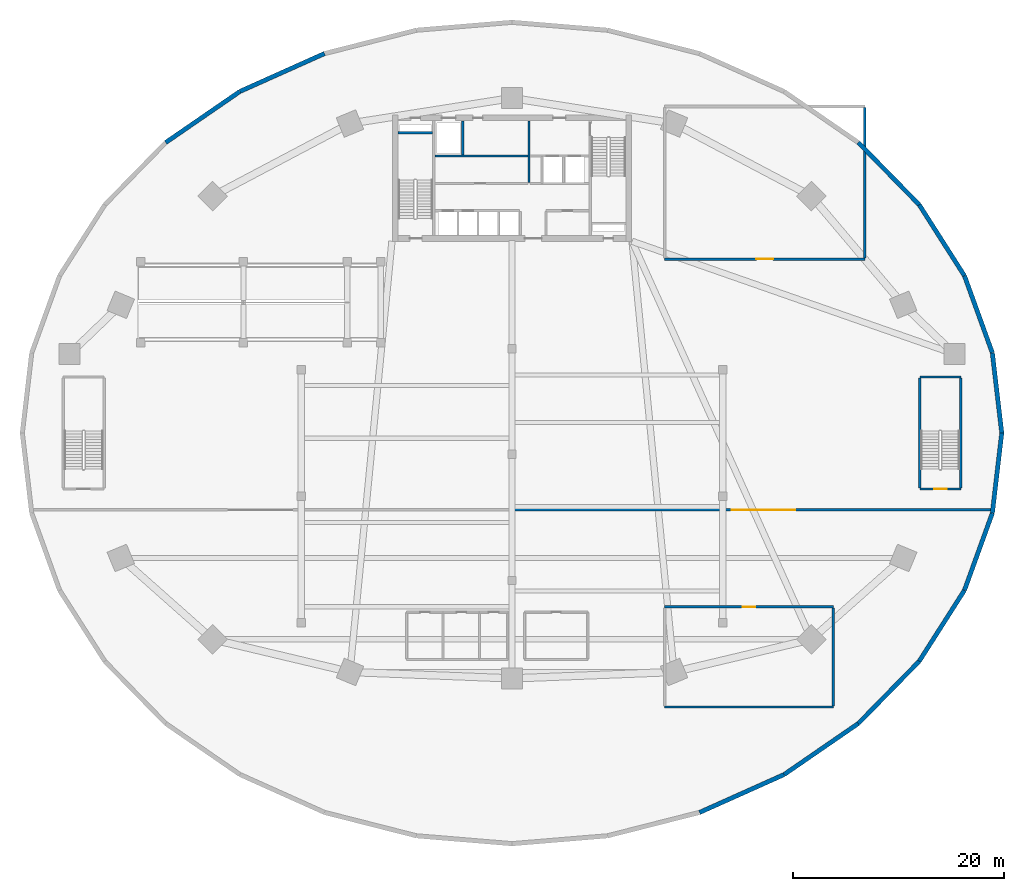
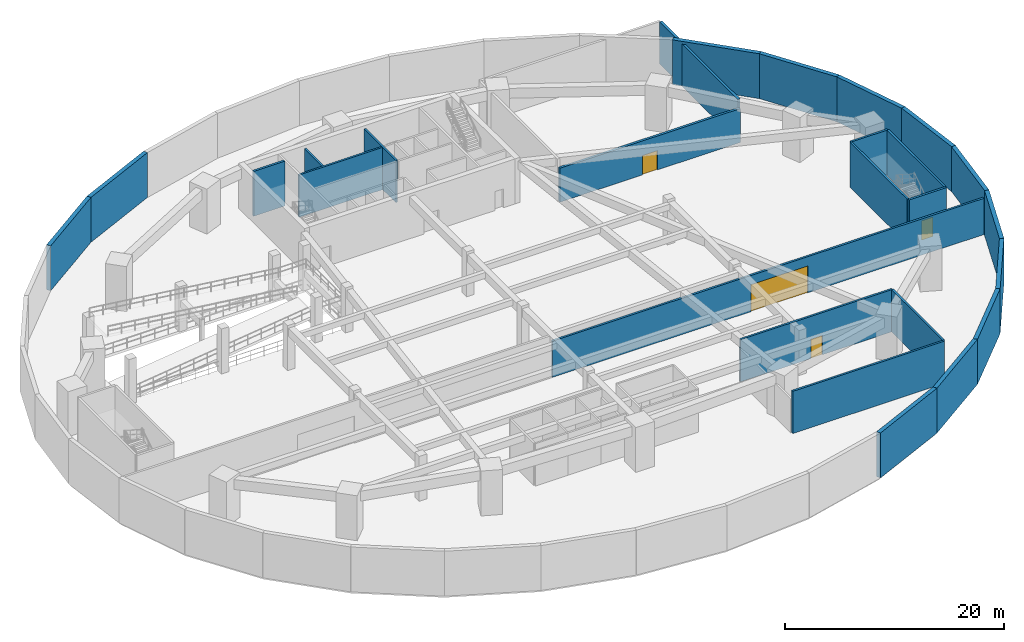
# One storey, part 6 of 10: 26 walls, 4 doors, 4 openings.
"""IFC4 building model written with IfcOpenShell, lengths in metres."""

from ifc_helpers import new_model, si_unit, direction, frame, frame_2d, origin, place, context, subcontext, project, spatial, rectangle, extrude, source, transform, mapped, material, layer, layer_set, type_object, type_shapes, element, fill, save


model = new_model("IFC4")

# Units and contexts
model_context = context("Model", 3, precision=1e-05, world=origin(), true_north=direction((0.0, 1.0)))
body_context = subcontext(model_context, "Body", "Model", "MODEL_VIEW")
ifc_project = project(units=[si_unit("LENGTHUNIT", "METRE"), si_unit("AREAUNIT", "SQUARE_METRE"), si_unit("VOLUMEUNIT", "CUBIC_METRE"), si_unit("PLANEANGLEUNIT", "RADIAN"), si_unit("MASSUNIT", "GRAM", prefix="KILO")], contexts=[model_context])

# Site, building, storey
site_placement = place(None, origin())
site = spatial("IfcSite", under=ifc_project, at=site_placement, CompositionType="ELEMENT")
building_placement = place(site_placement, origin())
building = spatial("IfcBuilding", under=site, at=building_placement, Name="Breltana Convention Tower", CompositionType="ELEMENT")
storey_placement = place(building_placement, frame((0.0, 0.0, -5.0)))
storey = spatial("IfcBuildingStorey", under=building, at=storey_placement, Name="B01", CompositionType="ELEMENT", Elevation=-5.0)

# Walls
ifc_material_1 = material(Name="Concrete C40/50", Category="concrete")
ifc_layer_1 = layer(ifc_material_1, 0.419921875, Name="Concrete C40/50")
ifc_layer_set_1 = layer_set([ifc_layer_1], Name="Concrete C40/50")
wall_type_1 = type_object("IfcWallType", Name="SW-BASE-420", PredefinedType="USERDEFINED", material=ifc_layer_set_1)
shared_shape_1 = source(origin(), body_context, "Body", "SweptSolid", [
    extrude(rectangle(XDim=7.66064453125, YDim=0.419921875, at=frame_2d((3.830322265625, 0.0))), origin(), (0.0, 0.0, 1.0), 5.0),
])
for number, where, z_axis, x_axis, name in (
    (1, (94.5, 42.0, 0.0), (0.0, 0.0, 1.0), (-0.116641545586, 0.993174078318, 0.0), "B01 Perimeter Retaining Wall 01"),
    (2, (93.6064453125, 34.3916015625, 0.0), (0.0, 0.0, 1.0), (0.116641545586, 0.993174078318, 0.0), "B01 Perimeter Retaining Wall 32"),
):
    element("IfcWall", number, at=place(storey_placement, frame(where, z_axis=z_axis, x_axis=x_axis)), inside=storey, type_object=wall_type_1, Name=name, ObjectType="RETAININGWALL", PredefinedType="USERDEFINED", context=body_context, shape_type="MappedRepresentation", body=[
        mapped(shared_shape_1, transform((0.0, 0.0, 0.0), scale=1.0)),
    ])
shared_shape_2 = source(origin(), body_context, "Body", "SweptSolid", [
    extrude(rectangle(XDim=7.7802734375, YDim=0.419921875, at=frame_2d((3.89013671875, 0.0))), origin(), (0.0, 0.0, 1.0), 5.0),
])
for number, where, z_axis, x_axis, name in (
    (3, (93.6064453125, 49.6083984375, 0.0), (0.0, 0.0, 1.0), (-0.340094752388, 0.940391173607, 0.0), "B01 Perimeter Retaining Wall 02"),
    (4, (90.96044921875, 27.0751953125, 0.0), (0.0, 0.0, 1.0), (0.340094752388, 0.940391173607, 0.0), "B01 Perimeter Retaining Wall 31"),
):
    element("IfcWall", number, at=place(storey_placement, frame(where, z_axis=z_axis, x_axis=x_axis)), inside=storey, type_object=wall_type_1, Name=name, ObjectType="RETAININGWALL", PredefinedType="USERDEFINED", context=body_context, shape_type="MappedRepresentation", body=[
        mapped(shared_shape_2, transform((0.0, 0.0, 0.0), scale=1.0)),
    ])
shared_shape_3 = source(origin(), body_context, "Body", "SweptSolid", [
    extrude(rectangle(XDim=7.995361328125, YDim=0.419921875, at=frame_2d((3.99755859375, 0.0))), origin(), (0.0, 0.0, 1.0), 5.0),
])
for number, where, z_axis, x_axis, name in (
    (5, (90.96044921875, 56.9248046875, 0.0), (0.0, 0.0, 1.0), (-0.537452304734, 0.84329414805, 0.0), "B01 Perimeter Retaining Wall 03"),
    (6, (86.663330078125, 20.332763671875, 0.0), (0.0, 0.0, 1.0), (0.537452304734, 0.84329414805, 0.0), "B01 Perimeter Retaining Wall 30"),
):
    element("IfcWall", number, at=place(storey_placement, frame(where, z_axis=z_axis, x_axis=x_axis)), inside=storey, type_object=wall_type_1, Name=name, ObjectType="RETAININGWALL", PredefinedType="USERDEFINED", context=body_context, shape_type="MappedRepresentation", body=[
        mapped(shared_shape_3, transform((0.0, 0.0, 0.0), scale=1.0)),
    ])
shared_shape_4 = source(origin(), body_context, "Body", "SweptSolid", [
    extrude(rectangle(XDim=8.268310546875, YDim=0.419921875, at=frame_2d((4.13427734375, 0.0))), origin(), (0.0, 0.0, 1.0), 5.0),
])
for number, where, z_axis, x_axis, name in (
    (7, (86.663330078125, 63.667236328125, 0.0), (0.0, 0.0, 1.0), (-0.699373198463, 0.714756692358, 0.0), "B01 Perimeter Retaining Wall 04"),
    (8, (80.880615234375, 14.4228515625, 0.0), (0.0, 0.0, 1.0), (0.699373198463, 0.714756692358, 0.0), "B01 Perimeter Retaining Wall 29"),
):
    element("IfcWall", number, at=place(storey_placement, frame(where, z_axis=z_axis, x_axis=x_axis)), inside=storey, type_object=wall_type_1, Name=name, ObjectType="RETAININGWALL", PredefinedType="USERDEFINED", context=body_context, shape_type="MappedRepresentation", body=[
        mapped(shared_shape_4, transform((0.0, 0.0, 0.0), scale=1.0)),
    ])
shared_shape_5 = source(origin(), body_context, "Body", "SweptSolid", [
    extrude(rectangle(XDim=8.554443359375, YDim=0.419921875, at=frame_2d((4.27734375, 0.0))), origin(), (0.0, 0.0, 1.0), 5.0),
])
for number, where, z_axis, x_axis, name in (
    (9, (22.166015625, 74.42724609375, 0.0), (0.0, 0.0, 1.0), (-0.823739529001, -0.566968419192, 0.0), "B01 Perimeter Retaining Wall 12"),
    (10, (73.833984375, 9.57275390625, 0.0), (0.0, 0.0, 1.0), (0.823739529001, 0.566968419192, 0.0), "B01 Perimeter Retaining Wall 28"),
):
    element("IfcWall", number, at=place(storey_placement, frame(where, z_axis=z_axis, x_axis=x_axis)), inside=storey, type_object=wall_type_1, Name=name, ObjectType="RETAININGWALL", PredefinedType="USERDEFINED", context=body_context, shape_type="MappedRepresentation", body=[
        mapped(shared_shape_5, transform((0.0, 0.0, 0.0), scale=1.0)),
    ])
shared_shape_6 = source(origin(), body_context, "Body", "SweptSolid", [
    extrude(rectangle(XDim=8.81005859375, YDim=0.419921875, at=frame_2d((4.405029296875, 0.0))), origin(), (0.0, 0.0, 1.0), 5.0),
])
for number, where, z_axis, x_axis, name in (
    (11, (30.205078125, 78.03125, 0.0), (0.0, 0.0, 1.0), (-0.912497196731, -0.409082957305, 0.0), "B01 Perimeter Retaining Wall 11"),
    (12, (65.794921875, 5.96875, 0.0), (0.0, 0.0, 1.0), (0.912497196731, 0.409082957305, 0.0), "B01 Perimeter Retaining Wall 27"),
):
    element("IfcWall", number, at=place(storey_placement, frame(where, z_axis=z_axis, x_axis=x_axis)), inside=storey, type_object=wall_type_1, Name=name, ObjectType="RETAININGWALL", PredefinedType="USERDEFINED", context=body_context, shape_type="MappedRepresentation", body=[
        mapped(shared_shape_6, transform((0.0, 0.0, 0.0), scale=1.0)),
    ])
ifc_material_2 = material(Name="Concrete C50/60", Category="concrete")
ifc_layer_2 = layer(ifc_material_2, 0.39990234375, Name="Concrete C50/60")
ifc_layer_set_2 = layer_set([ifc_layer_2], Name="Concrete C50/60")
wall_type_2 = type_object("IfcWallType", Name="SW-CORE-400", PredefinedType="SHEAR", material=ifc_layer_set_2)
shared_shape_7 = source(origin(), body_context, "Body", "SweptSolid", [
    extrude(rectangle(XDim=3.27001953125, YDim=0.219970703125, at=frame_2d((1.635009765625, 0.0))), origin(), (0.0, 0.0, 1.0), 5.0),
])
type_shapes(wall_type_2, [shared_shape_7])
wall_1_placement = place(storey_placement, frame((37.199951171875, 70.510009765625, 0.0), z_axis=(0.0, 0.0, 1.0), x_axis=(1.0, 0.0, 0.0)))
element("IfcWall", 13, at=wall_1_placement, inside=storey, type_object=wall_type_2, Name="B01 ST-1 Stairwell North Bearing Wall", PredefinedType="SHEAR", context=body_context, shape_type="MappedRepresentation", body=[
    mapped(shared_shape_7, transform((0.0, 0.0, 0.0), scale=1.0)),
])
ifc_material_3 = material(Name="Autoclaved Aerated Concrete Block", Category="concrete")
ifc_layer_3 = layer(ifc_material_3, 0.199951171875, Name="Autoclaved Aerated Concrete Block")
ifc_layer_set_3 = layer_set([ifc_layer_3], Name="Autoclaved Aerated Concrete Block")
wall_type_3 = type_object("IfcWallType", Name="WL-SHAFT-200", PredefinedType="SOLIDWALL", material=ifc_layer_set_3)
shared_shape_8 = source(origin(), body_context, "Body", "SweptSolid", [
    extrude(rectangle(XDim=5.800048828125, YDim=0.199951171875, at=frame_2d((2.89990234375, 0.0))), origin(), (0.0, 0.0, 1.0), 4.699951171875),
])
wall_2_placement = place(storey_placement, frame((49.60009765625, 65.800048828125, 0.0), z_axis=(0.0, 0.0, 1.0), x_axis=(0.0, 1.0, 0.0)))
element("IfcWall", 14, at=wall_2_placement, inside=storey, type_object=wall_type_3, Name="B01 interior partition W-B01-FFL-W", PredefinedType="SOLIDWALL", context=body_context, shape_type="MappedRepresentation", body=[
    mapped(shared_shape_8, transform((0.0, 0.0, 0.0), scale=1.0)),
])
shared_shape_9 = source(origin(), body_context, "Body", "SweptSolid", [
    extrude(rectangle(XDim=3.2001953125, YDim=0.199951171875, at=frame_2d((1.60009765625, 0.0))), origin(), (0.0, 0.0, 1.0), 4.699951171875),
])
wall_3_placement = place(storey_placement, frame((43.320068359375, 68.39990234375, 0.0), z_axis=(0.0, 0.0, 1.0), x_axis=(0.0, 1.0, 0.0)))
element("IfcWall", 15, at=wall_3_placement, inside=storey, type_object=wall_type_3, Name="B01 interior partition W-B01-SV-E", PredefinedType="SOLIDWALL", context=body_context, shape_type="MappedRepresentation", body=[
    mapped(shared_shape_9, transform((0.0, 0.0, 0.0), scale=1.0)),
])
shared_shape_10 = source(origin(), body_context, "Body", "SweptSolid", [
    extrude(rectangle(XDim=8.800048828125, YDim=0.199951171875, at=frame_2d((4.39990234375, 0.0))), origin(), (0.0, 0.0, 1.0), 4.699951171875),
])
wall_4_placement = place(storey_placement, frame((40.699951171875, 68.300048828125, 0.0), z_axis=(0.0, 0.0, 1.0), x_axis=(1.0, 0.0, 0.0)))
element("IfcWall", 16, at=wall_4_placement, inside=storey, type_object=wall_type_3, Name="B01 interior partition W-B01-SV-S", PredefinedType="SOLIDWALL", context=body_context, shape_type="MappedRepresentation", body=[
    mapped(shared_shape_10, transform((0.0, 0.0, 0.0), scale=1.0)),
])

# Wall, opening, door
ifc_layer_4 = layer(ifc_material_1, 0.219970703125, Name="Concrete C40/50")
ifc_layer_set_4 = layer_set([ifc_layer_4], Name="Concrete C40/50")
wall_type_4 = type_object("IfcWallType", Name="WL-SHAFT-220", PredefinedType="SOLIDWALL", material=ifc_layer_set_4)
shared_shape_11 = source(origin(), body_context, "Body", "SweptSolid", [
    extrude(rectangle(XDim=3.89013671875, YDim=0.219970703125, at=frame_2d((1.945068359375, 0.0))), origin(), (0.0, 0.0, 1.0), 5.0),
])
type_shapes(wall_type_4, [shared_shape_11])
wall_5_placement = place(storey_placement, frame((86.719970703125, 36.68994140625, 0.0), z_axis=(0.0, 0.0, 1.0), x_axis=(1.0, 0.0, 0.0)))
wall_5 = element("IfcWall", 17, at=wall_5_placement, inside=storey, type_object=wall_type_4, Name="B01 interior partition W-B01-ST4-S", PredefinedType="SOLIDWALL", context=body_context, shape_type="MappedRepresentation", body=[
    mapped(shared_shape_11, transform((0.0, 0.0, 0.0), scale=1.0)),
])
opening_1_placement = place(wall_5_placement, frame((1.344970703125, 0.0, 0.0)))
opening_1 = element("IfcOpeningElement", 18, at=opening_1_placement, cuts=wall_5, Name="Opening D-09", PredefinedType="OPENING", context=body_context, shape_type="SweptSolid", body=[
    extrude(rectangle(XDim=1.199951171875, YDim=2.14990234375, at=frame_2d((0.60009765625, 1.074951171875))), frame((0.0, 0.1201171875, 0.0), z_axis=(0.0, -1.0, 0.0), x_axis=(1.0, 0.0, 0.0)), (0.0, 0.0, 1.0), 0.239990234375),
])
ifc_material_4 = material(Name="Steel Fire Lobby Door", Category="steel")
door_type_1 = type_object("IfcDoorType", Name="DR-FD120-1200", OperationType="NOTDEFINED", PredefinedType="DOOR", material=ifc_material_4)
shared_shape_12 = source(origin(), body_context, "Body", "SweptSolid", [
    extrude(rectangle(XDim=1.199951171875, YDim=2.14990234375, at=frame_2d((0.60009765625, 1.074951171875))), frame((0.0, 0.02490234375, 0.0), z_axis=(0.0, -1.0, 0.0), x_axis=(1.0, 0.0, 0.0)), (0.0, 0.0, 1.0), 0.050048828125),
])
type_shapes(door_type_1, [shared_shape_12])
door_1_placement = place(opening_1_placement, origin())
door_1 = element("IfcDoor", 19, at=door_1_placement, inside=storey, type_object=door_type_1, Name="B01 interior door D-B01-ST4", OperationType="SINGLE_SWING_LEFT", OverallHeight=2.14990234375, OverallWidth=1.199951171875, PredefinedType="DOOR", context=body_context, shape_type="MappedRepresentation", body=[
    mapped(shared_shape_12, transform((0.0, 0.0, 0.0), scale=1.0)),
])
fill(opening_1, door_1)

# Walls
wall_6_placement = place(storey_placement, frame((86.719970703125, 47.31005859375, 0.0), z_axis=(0.0, 0.0, 1.0), x_axis=(1.0, 0.0, 0.0)))
element("IfcWall", 20, at=wall_6_placement, inside=storey, type_object=wall_type_4, Name="B01 interior partition W-B01-ST4-N", PredefinedType="SOLIDWALL", context=body_context, shape_type="MappedRepresentation", body=[
    mapped(shared_shape_11, transform((0.0, 0.0, 0.0), scale=1.0)),
])
shared_shape_13 = source(origin(), body_context, "Body", "SweptSolid", [
    extrude(rectangle(XDim=10.421875, YDim=0.219970703125, at=frame_2d((5.2109375, 0.0))), origin(), (0.0, 0.0, 1.0), 5.0),
])
for number, where, z_axis, x_axis, name in (
    (21, (86.719970703125, 36.7890625, 0.0), (0.0, 0.0, 1.0), (0.0, 1.0, 0.0), "B01 interior partition W-B01-ST4-W"),
    (22, (90.610107421875, 36.7890625, 0.0), (0.0, 0.0, 1.0), (0.0, 1.0, 0.0), "B01 interior partition W-B01-ST4-E"),
):
    element("IfcWall", number, at=place(storey_placement, frame(where, z_axis=z_axis, x_axis=x_axis)), inside=storey, type_object=wall_type_4, Name=name, PredefinedType="SOLIDWALL", context=body_context, shape_type="MappedRepresentation", body=[
        mapped(shared_shape_13, transform((0.0, 0.0, 0.0), scale=1.0)),
    ])

# Wall, opening, door
ifc_material_5 = material(Name="Gypsum Acoustic Double Stud Wall")
ifc_layer_5 = layer(ifc_material_5, 0.25, Name="Gypsum Acoustic Double Stud Wall")
ifc_layer_set_5 = layer_set([ifc_layer_5], Name="Gypsum Acoustic Double Stud Wall")
wall_type_5 = type_object("IfcWallType", Name="WL-ACOUSTIC-250", PredefinedType="PARTITIONING", material=ifc_layer_set_5)
shared_shape_14 = source(origin(), body_context, "Body", "SweptSolid", [
    extrude(rectangle(XDim=19.0, YDim=0.25, at=frame_2d((9.5, 0.0))), origin(), (0.0, 0.0, 1.0), 3.780029296875),
])
type_shapes(wall_type_5, [shared_shape_14])
wall_7_placement = place(storey_placement, frame((62.5, 58.5, 0.0), z_axis=(0.0, 0.0, 1.0), x_axis=(1.0, 0.0, 0.0)))
wall_7 = element("IfcWall", 23, at=wall_7_placement, inside=storey, type_object=wall_type_5, Name="B01 interior partition W-B01-PLT1-S", PredefinedType="PARTITIONING", context=body_context, shape_type="MappedRepresentation", body=[
    mapped(shared_shape_14, transform((0.0, 0.0, 0.0), scale=1.0)),
])
opening_2_placement = place(wall_7_placement, frame((8.699951171875, 0.0, 0.0)))
opening_2 = element("IfcOpeningElement", 24, at=opening_2_placement, cuts=wall_7, Name="Opening D-04", PredefinedType="OPENING", context=body_context, shape_type="SweptSolid", body=[
    extrude(rectangle(XDim=1.60009765625, YDim=2.14990234375, at=frame_2d((0.800048828125, 1.074951171875))), frame((0.0, 0.135009765625, 0.0), z_axis=(0.0, -1.0, 0.0), x_axis=(1.0, 0.0, 0.0)), (0.0, 0.0, 1.0), 0.27001953125),
])
ifc_material_6 = material(Name="Steel Heavy-Duty Plant Door", Category="steel")
door_type_2 = type_object("IfcDoorType", Name="DR-PLT-1600", OperationType="DOUBLE_DOOR_SINGLE_SWING", PredefinedType="DOOR", material=ifc_material_6)
shared_shape_15 = source(origin(), body_context, "Body", "SweptSolid", [
    extrude(rectangle(XDim=1.60009765625, YDim=2.14990234375, at=frame_2d((0.800048828125, 1.074951171875))), frame((0.0, 0.02490234375, 0.0), z_axis=(0.0, -1.0, 0.0), x_axis=(1.0, 0.0, 0.0)), (0.0, 0.0, 1.0), 0.050048828125),
])
type_shapes(door_type_2, [shared_shape_15])
door_2_placement = place(opening_2_placement, origin())
door_2 = element("IfcDoor", 25, at=door_2_placement, inside=storey, type_object=door_type_2, Name="B01 interior door D-B01-PLT1", OperationType="SINGLE_SWING_RIGHT", OverallHeight=2.14990234375, OverallWidth=1.60009765625, PredefinedType="DOOR", context=body_context, shape_type="MappedRepresentation", body=[
    mapped(shared_shape_15, transform((0.0, 0.0, 0.0), scale=1.0)),
])
fill(opening_2, door_2)

# Walls
shared_shape_16 = source(origin(), body_context, "Body", "SweptSolid", [
    extrude(rectangle(XDim=14.27490234375, YDim=0.25, at=frame_2d((7.137451171875, 0.0))), origin(), (0.0, 0.0, 1.0), 4.699951171875),
])
wall_8_placement = place(storey_placement, frame((81.5, 58.612548828125, 0.0), z_axis=(0.0, 0.0, 1.0), x_axis=(0.0, 1.0, 0.0)))
element("IfcWall", 26, at=wall_8_placement, inside=storey, type_object=wall_type_5, Name="B01 interior partition W-B01-PLT1-E", PredefinedType="PARTITIONING", context=body_context, shape_type="MappedRepresentation", body=[
    mapped(shared_shape_16, transform((0.0, 0.0, 0.0), scale=1.0)),
])
ifc_material_7 = material(Name="Autoclaved Aerated Masonry Blockwork", Category="masonry")
ifc_layer_6 = layer(ifc_material_7, 0.2099609375, Name="Autoclaved Aerated Masonry Blockwork")
ifc_layer_set_6 = layer_set([ifc_layer_6], Name="Autoclaved Aerated Masonry Blockwork")
wall_type_6 = type_object("IfcWallType", Name="WL-PART-200", PredefinedType="PARTITIONING", material=ifc_layer_set_6)
shared_shape_17 = source(origin(), body_context, "Body", "SweptSolid", [
    extrude(rectangle(XDim=9.31982421875, YDim=0.2099609375, at=frame_2d((4.659912109375, 0.0))), origin(), (0.0, 0.0, 1.0), 4.699951171875),
])
wall_9_placement = place(storey_placement, frame((78.5, 16.090087890625, 0.0), z_axis=(0.0, 0.0, 1.0), x_axis=(0.0, 1.0, 0.0)))
element("IfcWall", 27, at=wall_9_placement, inside=storey, type_object=wall_type_6, Name="B01 interior partition W-B01-BIC1-E", PredefinedType="PARTITIONING", context=body_context, shape_type="MappedRepresentation", body=[
    mapped(shared_shape_17, transform((0.0, 0.0, 0.0), scale=1.0)),
])

# Wall, opening, door
shared_shape_18 = source(origin(), body_context, "Body", "SweptSolid", [
    extrude(rectangle(XDim=45.451416015625, YDim=0.219970703125, at=frame_2d((22.7255859375, 0.0))), origin(), (0.0, 0.0, 1.0), 4.030029296875),
])
wall_10_placement = place(storey_placement, frame((48.0, 34.699951171875, 0.0), z_axis=(0.0, 0.0, 1.0), x_axis=(1.0, 0.0, 0.0)))
wall_10 = element("IfcWall", 28, at=wall_10_placement, inside=storey, type_object=wall_type_4, Name="B01 interior partition W-B01-FSH-E", PredefinedType="SOLIDWALL", context=body_context, shape_type="MappedRepresentation", body=[
    mapped(shared_shape_18, transform((0.0, 0.0, 0.0), scale=1.0)),
])
opening_3_placement = place(wall_10_placement, frame((20.875732421875, 0.0, 0.0)))
opening_3 = element("IfcOpeningElement", 29, at=opening_3_placement, cuts=wall_10, Name="Opening VG-03", PredefinedType="OPENING", context=body_context, shape_type="SweptSolid", body=[
    extrude(rectangle(XDim=6.0, YDim=3.0, at=frame_2d((3.0, 1.5))), frame((0.0, 0.1201171875, 0.0), z_axis=(0.0, -1.0, 0.0), x_axis=(1.0, 0.0, 0.0)), (0.0, 0.0, 1.0), 0.239990234375),
])
ifc_material_8 = material(Name="Steel Fire-Rated Roller Shutter", Category="steel")
door_type_3 = type_object("IfcDoorType", Name="DR-GATE-FIRE-6000", OperationType="ROLLINGUP", PredefinedType="GATE", material=ifc_material_8)
shared_shape_19 = source(origin(), body_context, "Body", "SweptSolid", [
    extrude(rectangle(XDim=6.0, YDim=3.0, at=frame_2d((3.0, 1.5))), frame((0.0, 0.02490234375, 0.0), z_axis=(0.0, -1.0, 0.0), x_axis=(1.0, 0.0, 0.0)), (0.0, 0.0, 1.0), 0.050048828125),
])
type_shapes(door_type_3, [shared_shape_19])
door_3_placement = place(opening_3_placement, origin())
door_3 = element("IfcDoor", 30, at=door_3_placement, inside=storey, type_object=door_type_3, Name="B01 interior door VG-B01-FIRE-E", OperationType="ROLLINGUP", OverallHeight=3.0, OverallWidth=6.0, PredefinedType="GATE", context=body_context, shape_type="MappedRepresentation", body=[
    mapped(shared_shape_19, transform((0.0, 0.0, 0.0), scale=1.0)),
])
fill(opening_3, door_3)

# Wall
shared_shape_20 = source(origin(), body_context, "Body", "SweptSolid", [
    extrude(rectangle(XDim=16.0, YDim=0.2099609375, at=frame_2d((8.0, 0.0))), origin(), (0.0, 0.0, 1.0), 4.699951171875),
])
wall_11_placement = place(storey_placement, frame((62.5, 16.0, 0.0), z_axis=(0.0, 0.0, 1.0), x_axis=(1.0, 0.0, 0.0)))
element("IfcWall", 31, at=wall_11_placement, inside=storey, type_object=wall_type_6, Name="B01 interior partition W-B01-BIC1-S", PredefinedType="PARTITIONING", context=body_context, shape_type="MappedRepresentation", body=[
    mapped(shared_shape_20, transform((0.0, 0.0, 0.0), scale=1.0)),
])

# Wall, opening, door
wall_12_placement = place(storey_placement, frame((62.5, 25.5, 0.0), z_axis=(0.0, 0.0, 1.0), x_axis=(1.0, 0.0, 0.0)))
wall_12 = element("IfcWall", 32, at=wall_12_placement, inside=storey, type_object=wall_type_6, Name="B01 interior partition W-B01-BIC1-N", PredefinedType="PARTITIONING", context=body_context, shape_type="MappedRepresentation", body=[
    mapped(shared_shape_20, transform((0.0, 0.0, 0.0), scale=1.0)),
])
opening_4_placement = place(wall_12_placement, frame((7.39990234375, 0.0, 0.0)))
opening_4 = element("IfcOpeningElement", 33, at=opening_4_placement, cuts=wall_12, Name="Opening D-10", PredefinedType="OPENING", context=body_context, shape_type="SweptSolid", body=[
    extrude(rectangle(XDim=1.199951171875, YDim=2.14990234375, at=frame_2d((0.60009765625, 1.074951171875))), frame((0.0, 0.114990234375, 0.0), z_axis=(0.0, -1.0, 0.0), x_axis=(1.0, 0.0, 0.0)), (0.0, 0.0, 1.0), 0.22998046875),
])
ifc_material_9 = material(Name="Timber Oak Veneer Fire Door", Category="wood")
door_type_4 = type_object("IfcDoorType", Name="DR-INT-1200", OperationType="NOTDEFINED", PredefinedType="DOOR", material=ifc_material_9)
shared_shape_21 = source(origin(), body_context, "Body", "SweptSolid", [
    extrude(rectangle(XDim=1.199951171875, YDim=2.14990234375, at=frame_2d((0.60009765625, 1.074951171875))), frame((0.0, 0.02490234375, 0.0), z_axis=(0.0, -1.0, 0.0), x_axis=(1.0, 0.0, 0.0)), (0.0, 0.0, 1.0), 0.050048828125),
])
type_shapes(door_type_4, [shared_shape_21])
door_4_placement = place(opening_4_placement, origin())
door_4 = element("IfcDoor", 34, at=door_4_placement, inside=storey, type_object=door_type_4, Name="B01 interior door D-B01-BIC1", OperationType="SINGLE_SWING_RIGHT", OverallHeight=2.14990234375, OverallWidth=1.199951171875, PredefinedType="DOOR", context=body_context, shape_type="MappedRepresentation", body=[
    mapped(shared_shape_21, transform((0.0, 0.0, 0.0), scale=1.0)),
])
fill(opening_4, door_4)

save(model, "model.ifc")
